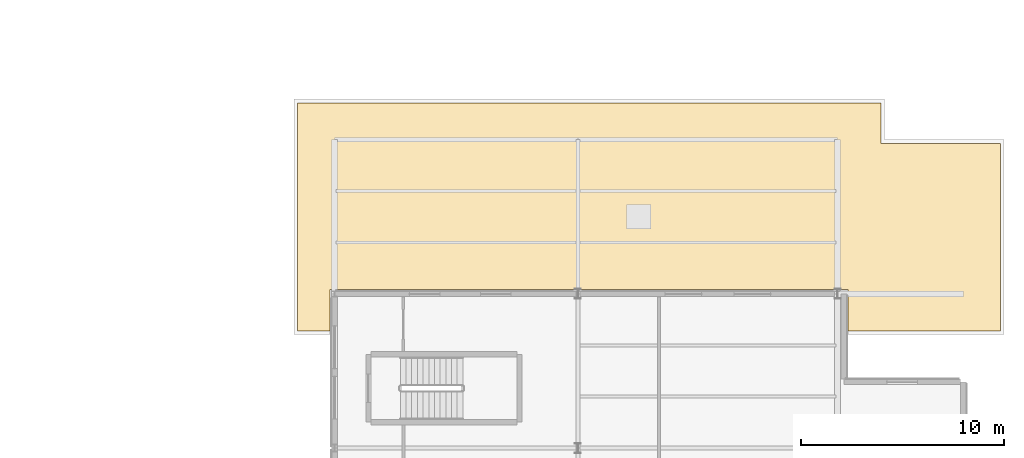
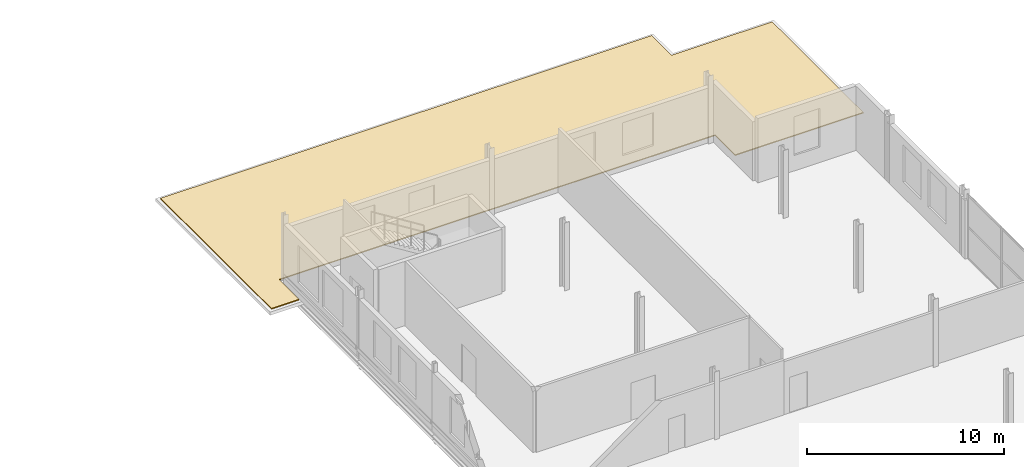
# One storey, part 101 of 101: 1 covering.
"""IFC4 building model written with IfcOpenShell, lengths in metres."""

from ifc_helpers import new_model, si_unit, direction, frame, origin, place, context, subcontext, project, spatial, polyline, outline, extrude, material, layer, layer_set, type_object, element, save


model = new_model("IFC4")

# Units and contexts
model_context = context("Model", 3, precision=1e-05, world=origin(), true_north=direction((0.0, 1.0)))
body_context = subcontext(model_context, "Body", "Model", "MODEL_VIEW")
ifc_project = project(units=[si_unit("LENGTHUNIT", "METRE"), si_unit("AREAUNIT", "SQUARE_METRE"), si_unit("VOLUMEUNIT", "CUBIC_METRE"), si_unit("PLANEANGLEUNIT", "RADIAN"), si_unit("MASSUNIT", "GRAM", prefix="KILO")], contexts=[model_context])

# Site, building, storey
site_placement = place(None, origin())
site = spatial("IfcSite", under=ifc_project, at=site_placement, CompositionType="ELEMENT")
building_placement = place(site_placement, origin())
building = spatial("IfcBuilding", under=site, at=building_placement, Name="Vekula Escarpment Museum", CompositionType="ELEMENT")
storey_placement = place(building_placement, frame((0.0, 0.0, 18.0)))
storey = spatial("IfcBuildingStorey", under=building, at=storey_placement, Name="L04", CompositionType="ELEMENT", Elevation=18.0)

# Covering
ifc_material = material(Name="Standing-seam patinated copper roofing", Category="metal")
ifc_layer = layer(ifc_material, 0.06005859375)
ifc_layer_set = layer_set([ifc_layer], Name="Standing-seam patinated copper roofing")
covering_type = type_object("IfcCoveringType", Name="COV-ROOF-COPPER", PredefinedType="ROOFING", material=ifc_layer_set)
covering_placement = place(storey_placement, origin())
element("IfcCovering", 1, at=covering_placement, inside=storey, type_object=covering_type, Name="Overhanging Eave Roof Covering R-L04-V3N", PredefinedType="ROOFING", context=body_context, shape_type="SweptSolid", body=[
    extrude(outline(polyline([(165.179931640625, 130.219970703125), (193.929931640625, 130.219970703125), (193.929931640625, 128.219970703125), (199.820068359375, 128.219970703125), (199.820068359375, 118.97998046875), (192.320068359375, 118.97998046875), (192.320068359375, 121.010009765625), (166.7900390625, 121.010009765625), (166.7900390625, 118.97998046875), (165.179931640625, 118.97998046875), (165.179931640625, 130.219970703125)])), origin(), (0.0, 0.0, 1.0), 0.06005859375),
])

save(model, "model.ifc")
